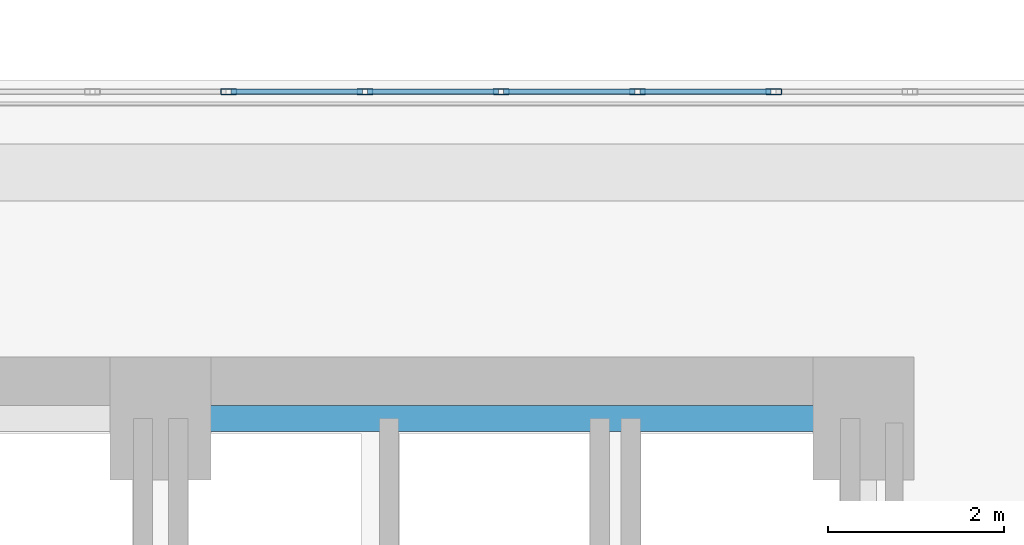
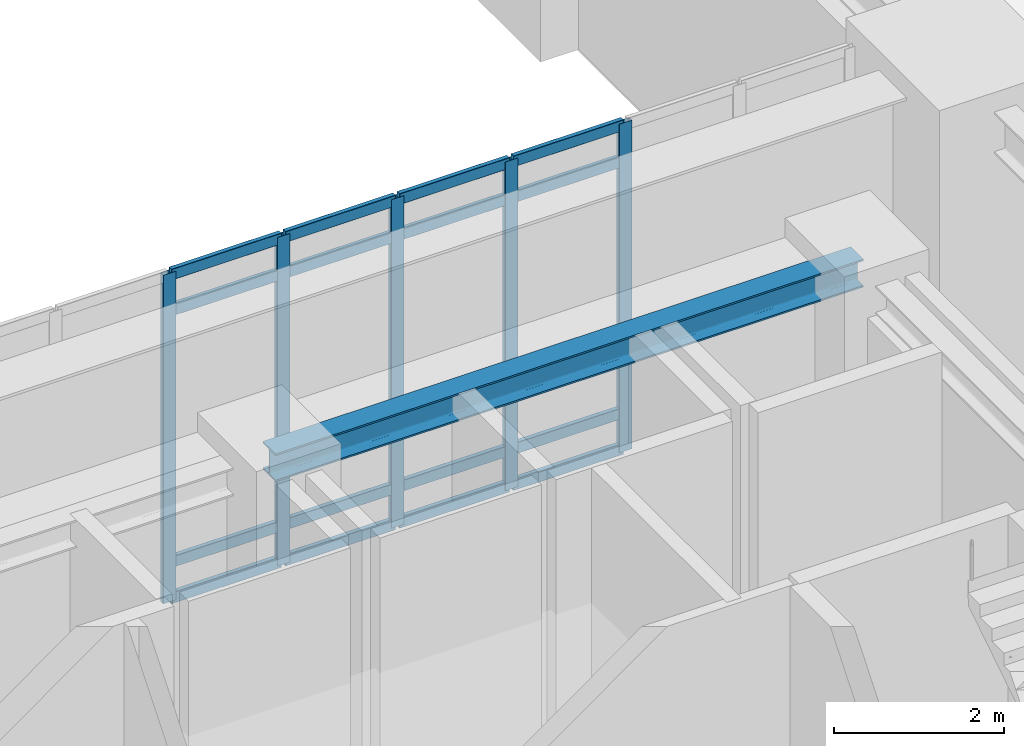
# One storey, part 12 of 26: 21 members, 1 beam, 1 element without a shape of its own.
"""IFC4 building model written with IfcOpenShell, lengths in metres."""

from ifc_helpers import new_model, si_unit, direction, frame, origin, origin_2d, place, context, subcontext, project, spatial, hollow_rectangle, i_section, extrude, material, layer, layer_set, material_profile, profile_set, type_object, element, aggregate, save


model = new_model("IFC4")

# Units and contexts
model_context = context("Model", 3, precision=1e-05, world=origin(), true_north=direction((0.0, 1.0)))
body_context = subcontext(model_context, "Body", "Model", "MODEL_VIEW")
ifc_project = project(units=[si_unit("LENGTHUNIT", "METRE"), si_unit("AREAUNIT", "SQUARE_METRE"), si_unit("VOLUMEUNIT", "CUBIC_METRE"), si_unit("PLANEANGLEUNIT", "RADIAN"), si_unit("MASSUNIT", "GRAM", prefix="KILO")], contexts=[model_context])

# Site, building, storey
site_placement = place(None, origin())
site = spatial("IfcSite", under=ifc_project, at=site_placement, CompositionType="ELEMENT")
building_placement = place(site_placement, origin())
building = spatial("IfcBuilding", under=site, at=building_placement, Name="Ndelora Gate Hotel", CompositionType="ELEMENT")
storey_placement = place(building_placement, frame((0.0, 0.0, 6.0)))
storey = spatial("IfcBuildingStorey", under=building, at=storey_placement, Name="L01", CompositionType="ELEMENT", Elevation=6.0)

# Beam
ifc_material_1 = material(Name="Steel S355", Category="steel")
ifc_material_profile_1 = material_profile(ifc_material_1, i_section(OverallWidth=0.300048828125, OverallDepth=0.39990234375, WebThickness=0.013427734375, FlangeThickness=0.02392578125, FilletRadius=0.027099609375, at=origin_2d()), Name="HEB 400")
ifc_profile_set_1 = profile_set([ifc_material_profile_1], Name="Steel S355")
beam_type = type_object("IfcBeamType", Name="BM-CORE-400", PredefinedType="BEAM", material=ifc_profile_set_1)
beam_placement = place(storey_placement, frame((0.0, 6.60009765625, 4.52001953125), z_axis=(1.0, 0.0, 0.0), x_axis=(0.0, 1.0, 0.0)))
element("IfcBeam", 1, at=beam_placement, inside=storey, type_object=beam_type, Name="L01 Core Tie Girder CC6-CC5", PredefinedType="BEAM", context=body_context, shape_type="SweptSolid", body=[
    extrude(i_section(OverallWidth=0.300048828125, OverallDepth=0.39990234375, WebThickness=0.013427734375, FlangeThickness=0.02392578125, FilletRadius=0.027099609375, at=origin_2d()), origin(), (0.0, 0.0, 1.0), 8.0),
])

# Curtain wall, members
ifc_material_2 = material(Name="Bronze Anodised Unitised Aluminium and Low-E Glass", Category="aluminium")
ifc_layer = layer(ifc_material_2, 0.239990234375)
ifc_layer_set = layer_set([ifc_layer], Name="Bronze Anodised Unitised Aluminium and Low-E Glass")
curtain_wall_type = type_object("IfcCurtainWallType", Name="CW-SYS-1", PredefinedType="NOTDEFINED", material=ifc_layer_set)
curtain_wall_placement = place(storey_placement, origin())
curtain_wall = element("IfcCurtainWall", 2, at=curtain_wall_placement, inside=storey, type_object=curtain_wall_type, Name="L01 North Portal Arch Concourse Curtain Wall CW1", PredefinedType="NOTDEFINED")
ifc_material_3 = material(Name="Bronze Anodised Aluminium 6063-T6", Category="aluminium")
ifc_material_profile_2 = material_profile(ifc_material_3, hollow_rectangle(XDim=0.070068359375, YDim=0.179931640625, WallThickness=0.0048828125, InnerFilletRadius=0.0048828125, OuterFilletRadius=0.010009765625, at=origin_2d()), Name="ALU 180x70x5")
ifc_profile_set_2 = profile_set([ifc_material_profile_2], Name="Bronze Anodised Aluminium 6063-T6")
member_type_1 = type_object("IfcMemberType", Name="MB-CW-MUL180", PredefinedType="MULLION", material=ifc_profile_set_2)
member_1_placement = place(storey_placement, frame((6.978515625, 10.320068359375, -0.00390625), z_axis=(0.0, 0.0, 1.0), x_axis=(0.0, -1.0, 0.0)))
member_1 = element("IfcMember", 3, at=member_1_placement, type_object=member_type_1, Name="CW1 mullion 3", PredefinedType="MULLION", context=body_context, shape_type="SweptSolid", body=[
    extrude(hollow_rectangle(XDim=0.070068359375, YDim=0.179931640625, WallThickness=0.0048828125, InnerFilletRadius=0.0048828125, OuterFilletRadius=0.010009765625, at=origin_2d()), origin(), (0.0, 0.0, 1.0), 4.72802734375),
])
member_2_placement = place(storey_placement, frame((5.427734375, 10.320068359375, -0.00390625), z_axis=(0.0, 0.0, 1.0), x_axis=(0.0, -1.0, 0.0)))
member_2 = element("IfcMember", 4, at=member_2_placement, type_object=member_type_1, Name="CW1 mullion 4", PredefinedType="MULLION", context=body_context, shape_type="SweptSolid", body=[
    extrude(hollow_rectangle(XDim=0.070068359375, YDim=0.179931640625, WallThickness=0.0048828125, InnerFilletRadius=0.0048828125, OuterFilletRadius=0.010009765625, at=origin_2d()), origin(), (0.0, 0.0, 1.0), 4.72802734375),
])
member_3_placement = place(storey_placement, frame((3.876953125, 10.320068359375, -0.00390625), z_axis=(0.0, 0.0, 1.0), x_axis=(0.0, -1.0, 0.0)))
member_3 = element("IfcMember", 5, at=member_3_placement, type_object=member_type_1, Name="CW1 mullion 5", PredefinedType="MULLION", context=body_context, shape_type="SweptSolid", body=[
    extrude(hollow_rectangle(XDim=0.070068359375, YDim=0.179931640625, WallThickness=0.0048828125, InnerFilletRadius=0.0048828125, OuterFilletRadius=0.010009765625, at=origin_2d()), origin(), (0.0, 0.0, 1.0), 4.72802734375),
])
member_4_placement = place(storey_placement, frame((2.326171875, 10.320068359375, -0.00390625), z_axis=(0.0, 0.0, 1.0), x_axis=(0.0, -1.0, 0.0)))
member_4 = element("IfcMember", 6, at=member_4_placement, type_object=member_type_1, Name="CW1 mullion 6", PredefinedType="MULLION", context=body_context, shape_type="SweptSolid", body=[
    extrude(hollow_rectangle(XDim=0.070068359375, YDim=0.179931640625, WallThickness=0.0048828125, InnerFilletRadius=0.0048828125, OuterFilletRadius=0.010009765625, at=origin_2d()), origin(), (0.0, 0.0, 1.0), 4.72802734375),
])
member_5_placement = place(storey_placement, frame((0.775390625, 10.320068359375, -0.00390625), z_axis=(0.0, 0.0, 1.0), x_axis=(0.0, -1.0, 0.0)))
member_5 = element("IfcMember", 7, at=member_5_placement, type_object=member_type_1, Name="CW1 mullion 7", PredefinedType="MULLION", context=body_context, shape_type="SweptSolid", body=[
    extrude(hollow_rectangle(XDim=0.070068359375, YDim=0.179931640625, WallThickness=0.0048828125, InnerFilletRadius=0.0048828125, OuterFilletRadius=0.010009765625, at=origin_2d()), origin(), (0.0, 0.0, 1.0), 4.72802734375),
])
ifc_material_profile_3 = material_profile(ifc_material_3, hollow_rectangle(XDim=0.06494140625, YDim=0.159912109375, WallThickness=0.00390625, InnerFilletRadius=0.00390625, OuterFilletRadius=0.008056640625, at=origin_2d()), Name="ALU 160x65x4")
ifc_profile_set_3 = profile_set([ifc_material_profile_3], Name="Bronze Anodised Aluminium 6063-T6")
member_type_2 = type_object("IfcMemberType", Name="MB-CW-TRN150", PredefinedType="USERDEFINED", material=ifc_profile_set_3)
member_6_placement = place(storey_placement, frame((6.949462890625, 10.320068359375, 0.032470703125), z_axis=(-1.0, 0.0, 0.0), x_axis=(0.0, -1.0, 0.0)))
member_6 = element("IfcMember", 8, at=member_6_placement, type_object=member_type_2, Name="CW1 transom 3.1", ObjectType="TRANSOM", PredefinedType="USERDEFINED", context=body_context, shape_type="SweptSolid", body=[
    extrude(hollow_rectangle(XDim=0.06494140625, YDim=0.159912109375, WallThickness=0.00390625, InnerFilletRadius=0.00390625, OuterFilletRadius=0.008056640625, at=origin_2d()), origin(), (0.0, 0.0, 1.0), 1.49267578125),
])
member_7_placement = place(storey_placement, frame((6.949462890625, 10.320068359375, 0.550048828125), z_axis=(-1.0, 0.0, 0.0), x_axis=(0.0, -1.0, 0.0)))
member_7 = element("IfcMember", 9, at=member_7_placement, type_object=member_type_2, Name="CW1 transom 3.2", ObjectType="TRANSOM", PredefinedType="USERDEFINED", context=body_context, shape_type="SweptSolid", body=[
    extrude(hollow_rectangle(XDim=0.06494140625, YDim=0.159912109375, WallThickness=0.00390625, InnerFilletRadius=0.00390625, OuterFilletRadius=0.008056640625, at=origin_2d()), origin(), (0.0, 0.0, 1.0), 1.49267578125),
])
member_8_placement = place(storey_placement, frame((6.949462890625, 10.320068359375, 4.169921875), z_axis=(-1.0, 0.0, 0.0), x_axis=(0.0, -1.0, 0.0)))
member_8 = element("IfcMember", 10, at=member_8_placement, type_object=member_type_2, Name="CW1 transom 3.3", ObjectType="TRANSOM", PredefinedType="USERDEFINED", context=body_context, shape_type="SweptSolid", body=[
    extrude(hollow_rectangle(XDim=0.06494140625, YDim=0.159912109375, WallThickness=0.00390625, InnerFilletRadius=0.00390625, OuterFilletRadius=0.008056640625, at=origin_2d()), origin(), (0.0, 0.0, 1.0), 1.49267578125),
])
member_9_placement = place(storey_placement, frame((6.949462890625, 10.320068359375, 4.6875), z_axis=(-1.0, 0.0, 0.0), x_axis=(0.0, -1.0, 0.0)))
member_9 = element("IfcMember", 11, at=member_9_placement, type_object=member_type_2, Name="CW1 transom 3.4", ObjectType="TRANSOM", PredefinedType="USERDEFINED", context=body_context, shape_type="SweptSolid", body=[
    extrude(hollow_rectangle(XDim=0.06494140625, YDim=0.159912109375, WallThickness=0.00390625, InnerFilletRadius=0.00390625, OuterFilletRadius=0.008056640625, at=origin_2d()), origin(), (0.0, 0.0, 1.0), 1.49267578125),
])
member_10_placement = place(storey_placement, frame((5.398681640625, 10.320068359375, 0.032470703125), z_axis=(-1.0, 0.0, 0.0), x_axis=(0.0, -1.0, 0.0)))
member_10 = element("IfcMember", 12, at=member_10_placement, type_object=member_type_2, Name="CW1 transom 4.1", ObjectType="TRANSOM", PredefinedType="USERDEFINED", context=body_context, shape_type="SweptSolid", body=[
    extrude(hollow_rectangle(XDim=0.06494140625, YDim=0.159912109375, WallThickness=0.00390625, InnerFilletRadius=0.00390625, OuterFilletRadius=0.008056640625, at=origin_2d()), origin(), (0.0, 0.0, 1.0), 1.49267578125),
])
member_11_placement = place(storey_placement, frame((5.398681640625, 10.320068359375, 0.550048828125), z_axis=(-1.0, 0.0, 0.0), x_axis=(0.0, -1.0, 0.0)))
member_11 = element("IfcMember", 13, at=member_11_placement, type_object=member_type_2, Name="CW1 transom 4.2", ObjectType="TRANSOM", PredefinedType="USERDEFINED", context=body_context, shape_type="SweptSolid", body=[
    extrude(hollow_rectangle(XDim=0.06494140625, YDim=0.159912109375, WallThickness=0.00390625, InnerFilletRadius=0.00390625, OuterFilletRadius=0.008056640625, at=origin_2d()), origin(), (0.0, 0.0, 1.0), 1.49267578125),
])
member_12_placement = place(storey_placement, frame((5.398681640625, 10.320068359375, 4.169921875), z_axis=(-1.0, 0.0, 0.0), x_axis=(0.0, -1.0, 0.0)))
member_12 = element("IfcMember", 14, at=member_12_placement, type_object=member_type_2, Name="CW1 transom 4.3", ObjectType="TRANSOM", PredefinedType="USERDEFINED", context=body_context, shape_type="SweptSolid", body=[
    extrude(hollow_rectangle(XDim=0.06494140625, YDim=0.159912109375, WallThickness=0.00390625, InnerFilletRadius=0.00390625, OuterFilletRadius=0.008056640625, at=origin_2d()), origin(), (0.0, 0.0, 1.0), 1.49267578125),
])
member_13_placement = place(storey_placement, frame((5.398681640625, 10.320068359375, 4.6875), z_axis=(-1.0, 0.0, 0.0), x_axis=(0.0, -1.0, 0.0)))
member_13 = element("IfcMember", 15, at=member_13_placement, type_object=member_type_2, Name="CW1 transom 4.4", ObjectType="TRANSOM", PredefinedType="USERDEFINED", context=body_context, shape_type="SweptSolid", body=[
    extrude(hollow_rectangle(XDim=0.06494140625, YDim=0.159912109375, WallThickness=0.00390625, InnerFilletRadius=0.00390625, OuterFilletRadius=0.008056640625, at=origin_2d()), origin(), (0.0, 0.0, 1.0), 1.49267578125),
])
member_14_placement = place(storey_placement, frame((3.847900390625, 10.320068359375, 0.032470703125), z_axis=(-1.0, 0.0, 0.0), x_axis=(0.0, -1.0, 0.0)))
member_14 = element("IfcMember", 16, at=member_14_placement, type_object=member_type_2, Name="CW1 transom 5.1", ObjectType="TRANSOM", PredefinedType="USERDEFINED", context=body_context, shape_type="SweptSolid", body=[
    extrude(hollow_rectangle(XDim=0.06494140625, YDim=0.159912109375, WallThickness=0.00390625, InnerFilletRadius=0.00390625, OuterFilletRadius=0.008056640625, at=origin_2d()), origin(), (0.0, 0.0, 1.0), 1.49267578125),
])
member_15_placement = place(storey_placement, frame((3.847900390625, 10.320068359375, 0.550048828125), z_axis=(-1.0, 0.0, 0.0), x_axis=(0.0, -1.0, 0.0)))
member_15 = element("IfcMember", 17, at=member_15_placement, type_object=member_type_2, Name="CW1 transom 5.2", ObjectType="TRANSOM", PredefinedType="USERDEFINED", context=body_context, shape_type="SweptSolid", body=[
    extrude(hollow_rectangle(XDim=0.06494140625, YDim=0.159912109375, WallThickness=0.00390625, InnerFilletRadius=0.00390625, OuterFilletRadius=0.008056640625, at=origin_2d()), origin(), (0.0, 0.0, 1.0), 1.49267578125),
])
member_16_placement = place(storey_placement, frame((3.847900390625, 10.320068359375, 4.169921875), z_axis=(-1.0, 0.0, 0.0), x_axis=(0.0, -1.0, 0.0)))
member_16 = element("IfcMember", 18, at=member_16_placement, type_object=member_type_2, Name="CW1 transom 5.3", ObjectType="TRANSOM", PredefinedType="USERDEFINED", context=body_context, shape_type="SweptSolid", body=[
    extrude(hollow_rectangle(XDim=0.06494140625, YDim=0.159912109375, WallThickness=0.00390625, InnerFilletRadius=0.00390625, OuterFilletRadius=0.008056640625, at=origin_2d()), origin(), (0.0, 0.0, 1.0), 1.49267578125),
])
member_17_placement = place(storey_placement, frame((3.847900390625, 10.320068359375, 4.6875), z_axis=(-1.0, 0.0, 0.0), x_axis=(0.0, -1.0, 0.0)))
member_17 = element("IfcMember", 19, at=member_17_placement, type_object=member_type_2, Name="CW1 transom 5.4", ObjectType="TRANSOM", PredefinedType="USERDEFINED", context=body_context, shape_type="SweptSolid", body=[
    extrude(hollow_rectangle(XDim=0.06494140625, YDim=0.159912109375, WallThickness=0.00390625, InnerFilletRadius=0.00390625, OuterFilletRadius=0.008056640625, at=origin_2d()), origin(), (0.0, 0.0, 1.0), 1.49267578125),
])
member_18_placement = place(storey_placement, frame((2.297119140625, 10.320068359375, 0.032470703125), z_axis=(-1.0, 0.0, 0.0), x_axis=(0.0, -1.0, 0.0)))
member_18 = element("IfcMember", 20, at=member_18_placement, type_object=member_type_2, Name="CW1 transom 6.1", ObjectType="TRANSOM", PredefinedType="USERDEFINED", context=body_context, shape_type="SweptSolid", body=[
    extrude(hollow_rectangle(XDim=0.06494140625, YDim=0.159912109375, WallThickness=0.00390625, InnerFilletRadius=0.00390625, OuterFilletRadius=0.008056640625, at=origin_2d()), origin(), (0.0, 0.0, 1.0), 1.49267578125),
])
member_19_placement = place(storey_placement, frame((2.297119140625, 10.320068359375, 0.550048828125), z_axis=(-1.0, 0.0, 0.0), x_axis=(0.0, -1.0, 0.0)))
member_19 = element("IfcMember", 21, at=member_19_placement, type_object=member_type_2, Name="CW1 transom 6.2", ObjectType="TRANSOM", PredefinedType="USERDEFINED", context=body_context, shape_type="SweptSolid", body=[
    extrude(hollow_rectangle(XDim=0.06494140625, YDim=0.159912109375, WallThickness=0.00390625, InnerFilletRadius=0.00390625, OuterFilletRadius=0.008056640625, at=origin_2d()), origin(), (0.0, 0.0, 1.0), 1.49267578125),
])
member_20_placement = place(storey_placement, frame((2.297119140625, 10.320068359375, 4.169921875), z_axis=(-1.0, 0.0, 0.0), x_axis=(0.0, -1.0, 0.0)))
member_20 = element("IfcMember", 22, at=member_20_placement, type_object=member_type_2, Name="CW1 transom 6.3", ObjectType="TRANSOM", PredefinedType="USERDEFINED", context=body_context, shape_type="SweptSolid", body=[
    extrude(hollow_rectangle(XDim=0.06494140625, YDim=0.159912109375, WallThickness=0.00390625, InnerFilletRadius=0.00390625, OuterFilletRadius=0.008056640625, at=origin_2d()), origin(), (0.0, 0.0, 1.0), 1.49267578125),
])
member_21_placement = place(storey_placement, frame((2.297119140625, 10.320068359375, 4.6875), z_axis=(-1.0, 0.0, 0.0), x_axis=(0.0, -1.0, 0.0)))
member_21 = element("IfcMember", 23, at=member_21_placement, type_object=member_type_2, Name="CW1 transom 6.4", ObjectType="TRANSOM", PredefinedType="USERDEFINED", context=body_context, shape_type="SweptSolid", body=[
    extrude(hollow_rectangle(XDim=0.06494140625, YDim=0.159912109375, WallThickness=0.00390625, InnerFilletRadius=0.00390625, OuterFilletRadius=0.008056640625, at=origin_2d()), origin(), (0.0, 0.0, 1.0), 1.49267578125),
])
aggregate(curtain_wall, [member_1, member_2, member_3, member_4, member_5, member_6, member_7, member_8, member_9, member_10, member_11, member_12, member_13, member_14, member_15, member_16, member_17, member_18, member_19, member_20, member_21])

save(model, "model.ifc")
